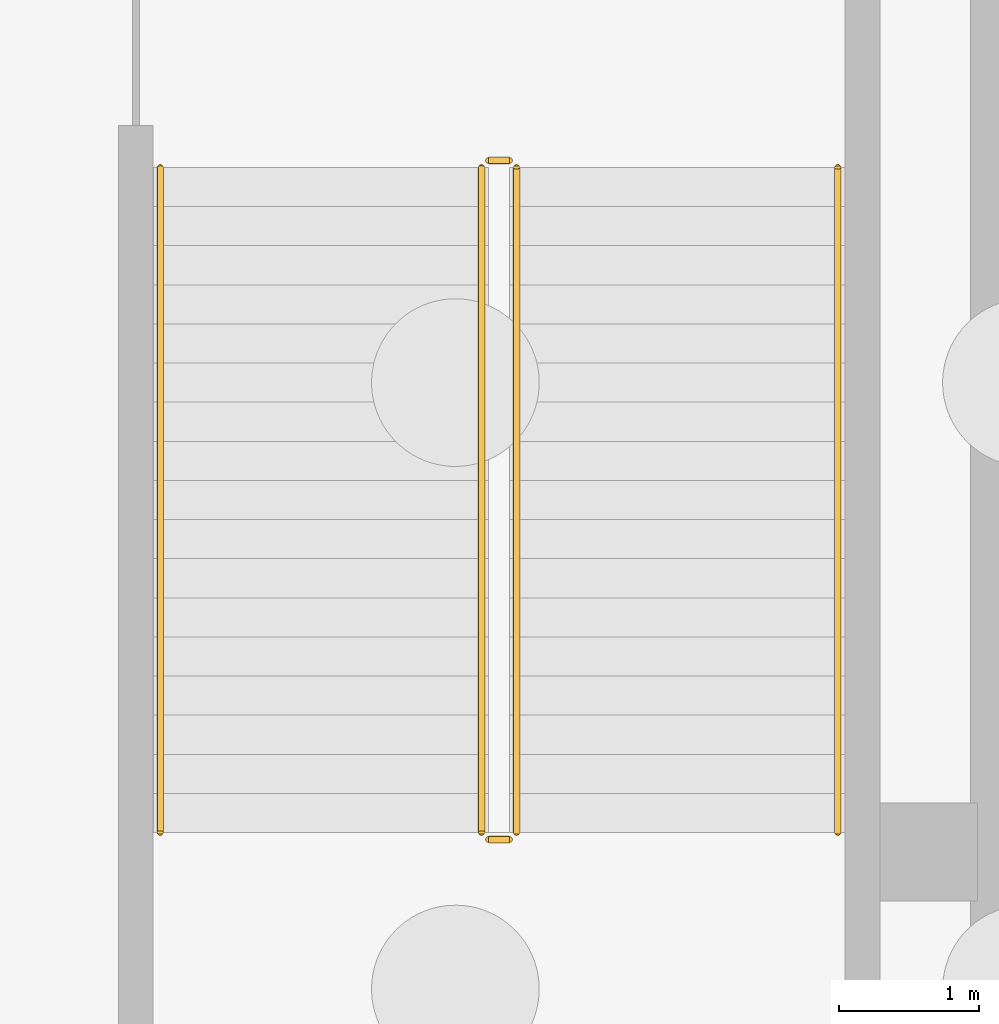
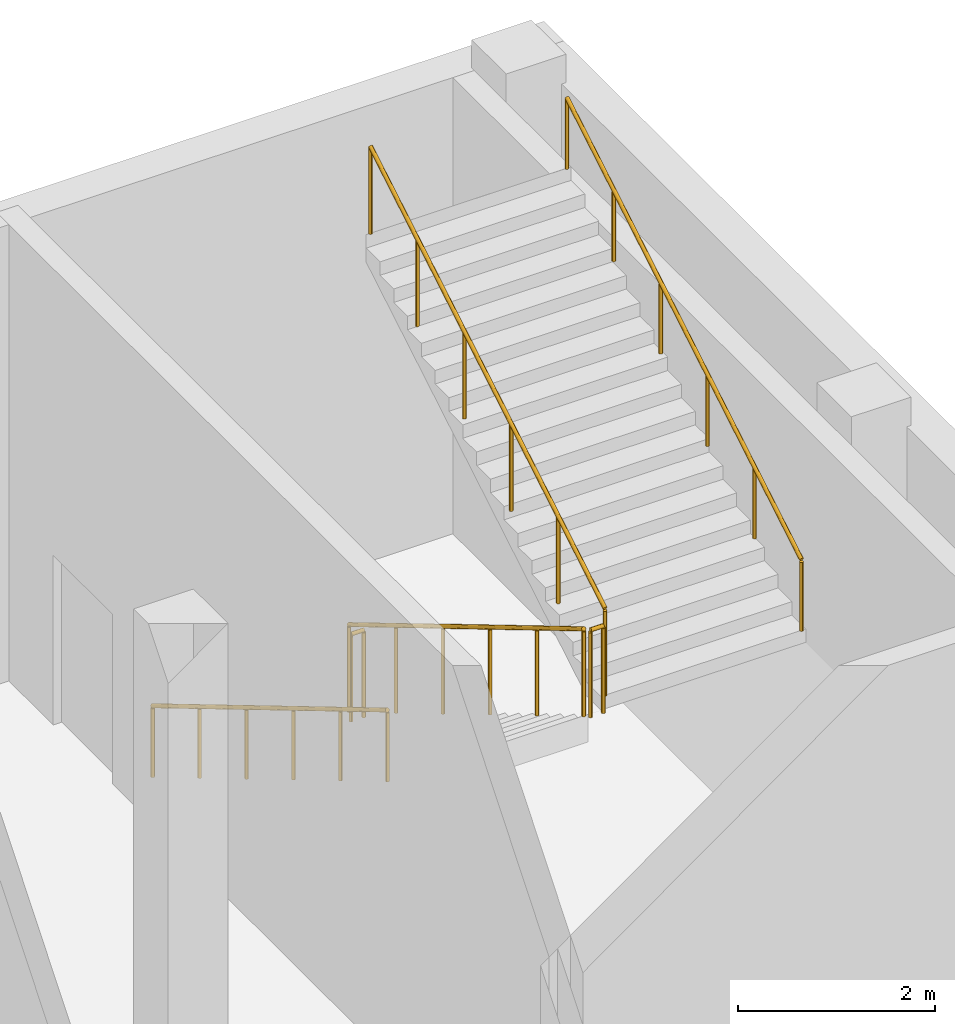
# One storey, part 44 of 45: 6 railings.
"""IFC4 building model written with IfcOpenShell, lengths in metres."""

import ifcopenshell
import ifcopenshell.guid

model = None  # the IFC model being written
_history = None  # IfcOwnerHistory: only IFC2X3 demands one
_inside = {}  # id of a spatial element -> (the spatial element, [elements in it])
_under = {}  # id of a project, library or spatial element -> (it, [spatial elements below it])
_declared = {}  # id of a project -> (the project, [libraries it declares])
_typed = {}  # id of a type object -> (the type object, [elements of that type])
_made_of = {}  # id of a material, layer set ... -> (it, [elements and type objects made of it])


def new_model(schema):
    """Start an empty IFC model of exactly this schema.

    Asked for "IFC4X3", IfcOpenShell would pick the latest addendum, in which some entities
    have other attributes; the version numbers below select the first issue.
    IFC2X3 requires an IfcOwnerHistory on every rooted entity: one is made here for all.
    """
    global model, _history
    if schema == "IFC4X3":
        model = ifcopenshell.file(schema_version=(4, 3, 0, 0))
    else:
        model = ifcopenshell.file(schema=schema)
    _inside.clear()
    _under.clear()
    _declared.clear()
    _typed.clear()
    _made_of.clear()
    _history = None
    if model.schema == "IFC2X3":
        org = make("IfcOrganization", Name="unknown")
        user = make(
            "IfcPersonAndOrganization",
            ThePerson=make("IfcPerson", FamilyName="unknown"),
            TheOrganization=org,
        )
        app = make(
            "IfcApplication",
            ApplicationDeveloper=org,
            Version="unknown",
            ApplicationFullName="unknown",
            ApplicationIdentifier="unknown",
        )
        _history = make(
            "IfcOwnerHistory",
            OwningUser=user,
            OwningApplication=app,
            ChangeAction="ADDED",
            CreationDate=0,
        )
    return model


def make(cls, **values):
    """One entity of the class cls with the attributes given. An attribute that is None is left unset."""
    return model.create_entity(
        cls, **{name: value for name, value in values.items() if value is not None}
    )


def rooted(cls, **values):
    """An entity with a GlobalId (a new one), such as an element, a storey or a relation."""
    return make(cls, GlobalId=ifcopenshell.guid.new(), OwnerHistory=_history, **values)


def si_unit(unit_type, name, prefix=None):
    """IfcSIUnit, for example si_unit("LENGTHUNIT", "METRE", prefix="MILLI")."""
    return make("IfcSIUnit", UnitType=unit_type, Prefix=prefix, Name=name)


def assignment(units):
    """IfcUnitAssignment: the units of a project."""
    return None if units is None else make("IfcUnitAssignment", Units=units)


def point(xyz):
    """IfcCartesianPoint."""
    return None if xyz is None else make("IfcCartesianPoint", Coordinates=xyz)


def direction(xyz):
    """IfcDirection."""
    return None if xyz is None else make("IfcDirection", DirectionRatios=xyz)


def frame(location, z_axis=None, x_axis=None):
    """IfcAxis2Placement3D, a coordinate frame: its origin and axes. An axis left out is left unset."""
    return make(
        "IfcAxis2Placement3D",
        Location=point(location),
        Axis=direction(z_axis),
        RefDirection=direction(x_axis),
    )


def frame_2d(location, x_axis=None):
    """IfcAxis2Placement2D, a coordinate frame in the plane: its origin and x axis."""
    return make(
        "IfcAxis2Placement2D", Location=point(location), RefDirection=direction(x_axis)
    )


def origin():
    """The frame at (0, 0, 0) with its axes left unset."""
    return frame((0.0, 0.0, 0.0))


def origin_2d():
    """The frame at (0, 0) in the plane with its x axis left unset."""
    return frame_2d((0.0, 0.0))


def place(relative_to, where):
    """IfcLocalPlacement: puts the frame where relative to a parent placement (None: the world)."""
    return make(
        "IfcLocalPlacement", PlacementRelTo=relative_to, RelativePlacement=where
    )


def context(
    kind, dimensions, precision=None, world=None, true_north=None, identifier=None
):
    """IfcGeometricRepresentationContext, for example the 3D "Model" context."""
    return make(
        "IfcGeometricRepresentationContext",
        ContextIdentifier=identifier,
        ContextType=kind,
        CoordinateSpaceDimension=dimensions,
        Precision=precision,
        WorldCoordinateSystem=world,
        TrueNorth=true_north,
    )


def subcontext(parent, identifier, kind, view, scale=None):
    """IfcGeometricRepresentationSubContext, for example "Body" below "Model"."""
    return make(
        "IfcGeometricRepresentationSubContext",
        ContextIdentifier=identifier,
        ContextType=kind,
        ParentContext=parent,
        TargetScale=scale,
        TargetView=view,
    )


def project(units=None, contexts=None):
    """IfcProject with its units and contexts."""
    return rooted(
        "IfcProject",
        Name="project",
        RepresentationContexts=contexts,
        UnitsInContext=assignment(units),
    )


def spatial(cls, under=None, at=None, **own):
    """A site, building, storey or space (cls), placed at a placement, below another one or the project."""
    s = rooted(cls, ObjectPlacement=at, **own)
    if under is not None:
        _under.setdefault(under.id(), (under, []))[1].append(s)
    return s


def profile(cls, at=None, kind="AREA", **sizes):
    """A parametric profile (cls). Its sizes go by their IFC names, for example OverallWidth=200.0."""
    return make(cls, ProfileType=kind, Position=at, **sizes)


def circle(**sizes):
    """IfcCircleProfileDef."""
    return profile("IfcCircleProfileDef", **sizes)


def extrude(swept, where, along, depth):
    """IfcExtrudedAreaSolid: the profile swept, set in the frame where, extruded along a direction by depth."""
    return make(
        "IfcExtrudedAreaSolid",
        SweptArea=swept,
        Position=where,
        ExtrudedDirection=direction(along),
        Depth=depth,
    )


def shape(context_of_items, identifier, shape_type, items):
    """IfcShapeRepresentation: the items that make up one representation, for example the "Body"."""
    return make(
        "IfcShapeRepresentation",
        ContextOfItems=context_of_items,
        RepresentationIdentifier=identifier,
        RepresentationType=shape_type,
        Items=items,
    )


def material(Name=None, Category=None):
    """IfcMaterial."""
    return make("IfcMaterial", Name=Name, Category=Category)


def made_of(thing, what):
    """Note that an element or type object is made of a material, layer set ...; save() writes the relation."""
    if what is not None:
        _made_of.setdefault(what.id(), (what, []))[1].append(thing)
    return thing


def type_object(cls, material=None, **own):
    """A type object (cls), such as IfcWallType, which elements share."""
    return made_of(rooted(cls, **own), material)


def element(
    cls,
    number,
    at=None,
    inside=None,
    cuts=None,
    type_object=None,
    material=None,
    context=None,
    identifier="Body",
    shape_type=None,
    held_by="IfcProductDefinitionShape",
    body=None,
    shapes=None,
    **own,
):
    """One element of the class cls, such as IfcWall. Its Tag is "e" and its number.

    at: its placement. inside: the storey or other place that contains it. cuts: it is an
    opening in that element (IfcRelVoidsElement). A single representation is given by context,
    identifier, shape_type and body (its items); several are given by shapes. held_by: the class
    of the entity that holds the representations. save() writes the other relations.
    """
    e = rooted(cls, Tag="e%d" % number, ObjectPlacement=at, **own)
    if body is not None:
        shapes = [shape(context, identifier, shape_type, body)]
    if shapes is not None:
        e.Representation = make(held_by, Representations=shapes)
    if inside is not None:
        _inside.setdefault(inside.id(), (inside, []))[1].append(e)
    if cuts is not None:
        rooted(
            "IfcRelVoidsElement", RelatingBuildingElement=cuts, RelatedOpeningElement=e
        )
    if type_object is not None:
        _typed.setdefault(type_object.id(), (type_object, []))[1].append(e)
    return made_of(e, material)


def aggregate(whole, parts):
    """IfcRelAggregates: a whole, such as a stair, and the parts it consists of."""
    return rooted("IfcRelAggregates", RelatingObject=whole, RelatedObjects=parts)


def save(model, path):
    """Write the relations noted so far, then the file.

    IfcRelAggregates (storeys below a building ...), IfcRelContainedInSpatialStructure (elements
    in a storey), IfcRelDefinesByType, IfcRelAssociatesMaterial and IfcRelDeclares: one each for
    every whole, place, type object, material and project.
    """
    for whole, parts in _under.values():
        aggregate(whole, parts)
    for where, things in _inside.values():
        rooted(
            "IfcRelContainedInSpatialStructure",
            RelatedElements=things,
            RelatingStructure=where,
        )
    for kind, things in _typed.values():
        rooted("IfcRelDefinesByType", RelatedObjects=things, RelatingType=kind)
    for what, things in _made_of.values():
        rooted("IfcRelAssociatesMaterial", RelatedObjects=things, RelatingMaterial=what)
    for by, libraries in _declared.values():
        rooted("IfcRelDeclares", RelatingContext=by, RelatedDefinitions=libraries)
    model.write(path)


model = new_model("IFC4")

# Units and contexts
model_context = context("Model", 3, precision=1e-05, world=origin(), true_north=direction((0.0, 1.0)))
body_context = subcontext(model_context, "Body", "Model", "MODEL_VIEW")
ifc_project = project(units=[si_unit("LENGTHUNIT", "METRE"), si_unit("AREAUNIT", "SQUARE_METRE"), si_unit("VOLUMEUNIT", "CUBIC_METRE"), si_unit("PLANEANGLEUNIT", "RADIAN"), si_unit("MASSUNIT", "GRAM", prefix="KILO")], contexts=[model_context])

# Site, building, storey
site_placement = place(None, origin())
site = spatial("IfcSite", under=ifc_project, at=site_placement, CompositionType="ELEMENT")
building_placement = place(site_placement, origin())
building = spatial("IfcBuilding", under=site, at=building_placement, Name="Tamorin Gate", CompositionType="ELEMENT")
storey_placement = place(building_placement, frame((0.0, 0.0, -6.0)))
storey = spatial("IfcBuildingStorey", under=building, at=storey_placement, Name="B1", CompositionType="ELEMENT", Elevation=-6.0)

# Railings
ifc_material = material(Name="Steel, galvanised", Category="steel")
railing_type_1 = type_object("IfcRailingType", Name="Steel guard 1100 museum", PredefinedType="GUARDRAIL", material=ifc_material)
railing_1_placement = place(storey_placement, frame((206.5, 95.60009765625, 0.166748046875)))
element("IfcRailing", 1, at=railing_1_placement, inside=storey, type_object=railing_type_1, Name="B1 PS9 stair guard 1", PredefinedType="GUARDRAIL", context=body_context, shape_type="SweptSolid", body=[
    extrude(circle(Radius=0.02392578125, at=origin_2d()), frame((0.0, 0.0, 1.076171875), z_axis=(0.0, -0.859299802514, 0.511472237174), x_axis=(1.0, 0.0, 0.0)), (0.0, 0.0, 1.0), 5.539306640625),
    extrude(circle(Radius=0.02099609375, at=origin_2d()), origin(), (0.0, 0.0, 1.0), 1.052001953125),
    extrude(circle(Radius=0.02099609375, at=origin_2d()), frame((0.0, -0.951904296875, 0.566650390625)), (0.0, 0.0, 1.0), 1.052001953125),
    extrude(circle(Radius=0.02099609375, at=origin_2d()), frame((0.0, -1.904052734375, 1.13330078125)), (0.0, 0.0, 1.0), 1.052001953125),
    extrude(circle(Radius=0.02099609375, at=origin_2d()), frame((0.0, -2.85595703125, 1.699951171875)), (0.0, 0.0, 1.0), 1.052001953125),
    extrude(circle(Radius=0.02099609375, at=origin_2d()), frame((0.0, -3.80810546875, 2.2666015625)), (0.0, 0.0, 1.0), 1.052001953125),
    extrude(circle(Radius=0.02099609375, at=origin_2d()), frame((0.0, -4.760009765625, 2.833251953125)), (0.0, 0.0, 1.0), 1.052001953125),
])
railing_2_placement = place(storey_placement, frame((206.550048828125, 90.7900390625, 3.0)))
element("IfcRailing", 2, at=railing_2_placement, inside=storey, type_object=railing_type_1, Name="B1 PS9 stair guard 2", PredefinedType="GUARDRAIL", context=body_context, shape_type="SweptSolid", body=[
    extrude(circle(Radius=0.02392578125, at=origin_2d()), frame((0.0, 0.0, 1.076171875), z_axis=(1.0, 0.0, 0.0), x_axis=(0.0, 1.0, 0.0)), (0.0, 0.0, 1.0), 0.14990234375),
    extrude(circle(Radius=0.02099609375, at=origin_2d()), origin(), (0.0, 0.0, 1.0), 1.052001953125),
    extrude(circle(Radius=0.02099609375, at=origin_2d()), frame((0.14990234375, 0.0, 0.0)), (0.0, 0.0, 1.0), 1.052001953125),
])
railing_3_placement = place(storey_placement, frame((206.75, 90.840087890625, 3.166748046875)))
element("IfcRailing", 3, at=railing_3_placement, inside=storey, type_object=railing_type_1, Name="B1 PS9 stair guard 3", PredefinedType="GUARDRAIL", context=body_context, shape_type="SweptSolid", body=[
    extrude(circle(Radius=0.02392578125, at=origin_2d()), frame((0.0, 0.0, 1.076171875), z_axis=(0.0, 0.859299802514, 0.511472237174), x_axis=(-1.0, 0.0, 0.0)), (0.0, 0.0, 1.0), 5.539306640625),
    extrude(circle(Radius=0.02099609375, at=origin_2d()), origin(), (0.0, 0.0, 1.0), 1.052001953125),
    extrude(circle(Radius=0.02099609375, at=origin_2d()), frame((0.0, 0.951904296875, 0.566650390625)), (0.0, 0.0, 1.0), 1.052001953125),
    extrude(circle(Radius=0.02099609375, at=origin_2d()), frame((0.0, 1.904052734375, 1.13330078125)), (0.0, 0.0, 1.0), 1.052001953125),
    extrude(circle(Radius=0.02099609375, at=origin_2d()), frame((0.0, 2.85595703125, 1.699951171875)), (0.0, 0.0, 1.0), 1.052001953125),
    extrude(circle(Radius=0.02099609375, at=origin_2d()), frame((0.0, 3.80810546875, 2.2666015625)), (0.0, 0.0, 1.0), 1.052001953125),
    extrude(circle(Radius=0.02099609375, at=origin_2d()), frame((0.0, 4.760009765625, 2.833251953125)), (0.0, 0.0, 1.0), 1.052001953125),
])
railing_4_placement = place(storey_placement, frame((206.550048828125, 95.64990234375, 0.0)))
element("IfcRailing", 4, at=railing_4_placement, inside=storey, type_object=railing_type_1, Name="B1 PS9 stair guard 4", PredefinedType="GUARDRAIL", context=body_context, shape_type="SweptSolid", body=[
    extrude(circle(Radius=0.02392578125, at=origin_2d()), frame((0.0, 0.0, 1.076171875), z_axis=(1.0, 0.0, 0.0), x_axis=(0.0, 1.0, 0.0)), (0.0, 0.0, 1.0), 0.14990234375),
    extrude(circle(Radius=0.02099609375, at=origin_2d()), origin(), (0.0, 0.0, 1.0), 1.052001953125),
    extrude(circle(Radius=0.02099609375, at=origin_2d()), frame((0.14990234375, 0.0, 0.0)), (0.0, 0.0, 1.0), 1.052001953125),
])
railing_type_2 = type_object("IfcRailingType", Name="Steel handrail 900 museum", PredefinedType="HANDRAIL", material=ifc_material)
railing_5_placement = place(storey_placement, frame((204.199951171875, 95.60009765625, 0.166748046875)))
element("IfcRailing", 5, at=railing_5_placement, inside=storey, type_object=railing_type_2, Name="B1 PS9 stair handrail 1", PredefinedType="HANDRAIL", context=body_context, shape_type="SweptSolid", body=[
    extrude(circle(Radius=0.02392578125, at=origin_2d()), frame((0.0, 0.0, 0.8759765625), z_axis=(0.0, -0.859299802514, 0.511472237174), x_axis=(1.0, 0.0, 0.0)), (0.0, 0.0, 1.0), 5.539306640625),
    extrude(circle(Radius=0.02099609375, at=origin_2d()), origin(), (0.0, 0.0, 1.0), 0.851806640625),
    extrude(circle(Radius=0.02099609375, at=origin_2d()), frame((0.0, -0.951904296875, 0.566650390625)), (0.0, 0.0, 1.0), 0.851806640625),
    extrude(circle(Radius=0.02099609375, at=origin_2d()), frame((0.0, -1.904052734375, 1.13330078125)), (0.0, 0.0, 1.0), 0.851806640625),
    extrude(circle(Radius=0.02099609375, at=origin_2d()), frame((0.0, -2.85595703125, 1.699951171875)), (0.0, 0.0, 1.0), 0.851806640625),
    extrude(circle(Radius=0.02099609375, at=origin_2d()), frame((0.0, -3.80810546875, 2.2666015625)), (0.0, 0.0, 1.0), 0.851806640625),
    extrude(circle(Radius=0.02099609375, at=origin_2d()), frame((0.0, -4.760009765625, 2.833251953125)), (0.0, 0.0, 1.0), 0.851806640625),
])
railing_6_placement = place(storey_placement, frame((209.050048828125, 90.840087890625, 3.166748046875)))
element("IfcRailing", 6, at=railing_6_placement, inside=storey, type_object=railing_type_2, Name="B1 PS9 stair handrail 2", PredefinedType="HANDRAIL", context=body_context, shape_type="SweptSolid", body=[
    extrude(circle(Radius=0.02392578125, at=origin_2d()), frame((0.0, 0.0, 0.8759765625), z_axis=(0.0, 0.859299802514, 0.511472237174), x_axis=(-1.0, 0.0, 0.0)), (0.0, 0.0, 1.0), 5.539306640625),
    extrude(circle(Radius=0.02099609375, at=origin_2d()), origin(), (0.0, 0.0, 1.0), 0.851806640625),
    extrude(circle(Radius=0.02099609375, at=origin_2d()), frame((0.0, 0.951904296875, 0.566650390625)), (0.0, 0.0, 1.0), 0.851806640625),
    extrude(circle(Radius=0.02099609375, at=origin_2d()), frame((0.0, 1.904052734375, 1.13330078125)), (0.0, 0.0, 1.0), 0.851806640625),
    extrude(circle(Radius=0.02099609375, at=origin_2d()), frame((0.0, 2.85595703125, 1.699951171875)), (0.0, 0.0, 1.0), 0.851806640625),
    extrude(circle(Radius=0.02099609375, at=origin_2d()), frame((0.0, 3.80810546875, 2.2666015625)), (0.0, 0.0, 1.0), 0.851806640625),
    extrude(circle(Radius=0.02099609375, at=origin_2d()), frame((0.0, 4.760009765625, 2.833251953125)), (0.0, 0.0, 1.0), 0.851806640625),
])

save(model, "model.ifc")
